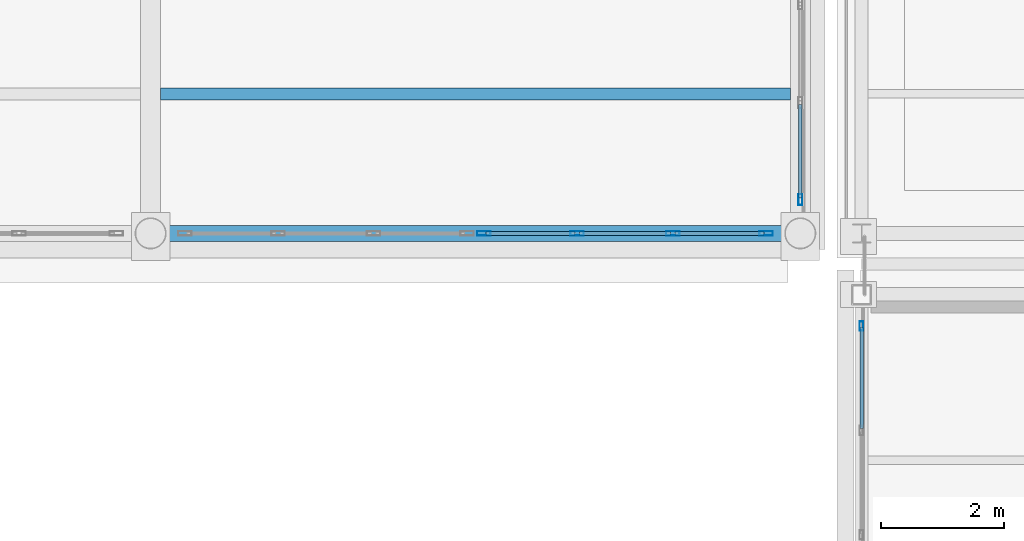
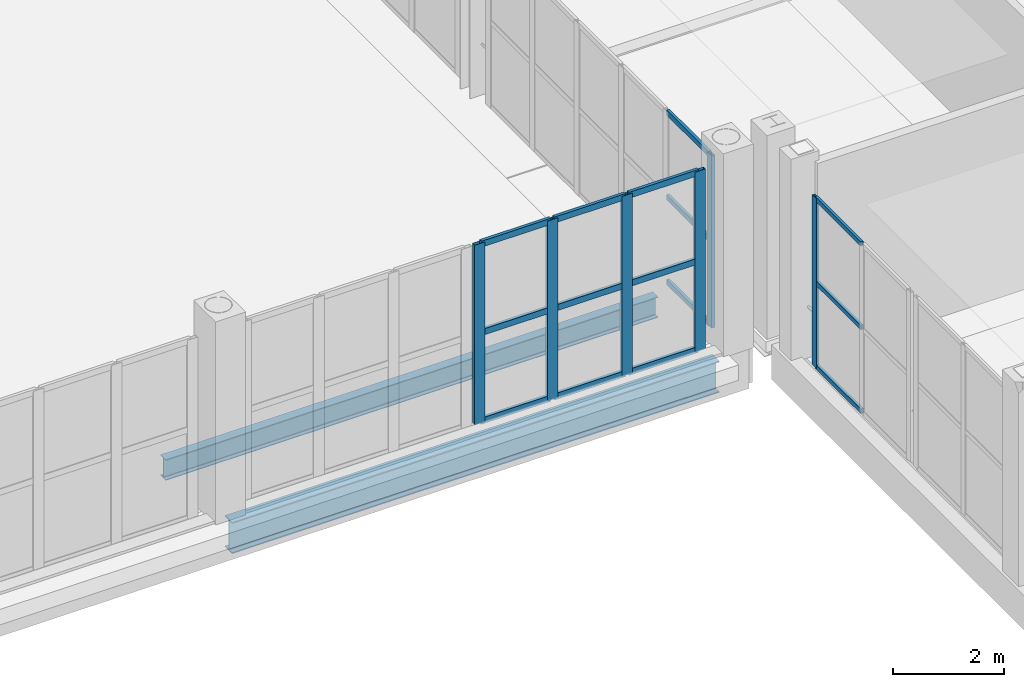
# One storey, part 81 of 156: 21 members, 2 beams, 3 elements without a shape of their own.
"""IFC4 building model written with IfcOpenShell, lengths in metres."""

from ifc_helpers import new_model, si_unit, direction, frame, origin, origin_2d, place, context, subcontext, project, spatial, hollow_rectangle, i_section, extrude, material, material_profile, profile_set, type_object, element, aggregate, save


model = new_model("IFC4")

# Units and contexts
model_context = context("Model", 3, precision=1e-05, world=origin(), true_north=direction((0.0, 1.0)))
body_context = subcontext(model_context, "Body", "Model", "MODEL_VIEW")
ifc_project = project(units=[si_unit("LENGTHUNIT", "METRE"), si_unit("AREAUNIT", "SQUARE_METRE"), si_unit("VOLUMEUNIT", "CUBIC_METRE"), si_unit("PLANEANGLEUNIT", "RADIAN"), si_unit("MASSUNIT", "GRAM", prefix="KILO")], contexts=[model_context])

# Site, building, storey
site_placement = place(None, origin())
site = spatial("IfcSite", under=ifc_project, at=site_placement, CompositionType="ELEMENT")
building_placement = place(site_placement, origin())
building = spatial("IfcBuilding", under=site, at=building_placement, Name="Caurita Quay Ferry Terminal", CompositionType="ELEMENT")
storey_placement = place(building_placement, frame((0.0, 0.0, 5.39990234375)))
storey = spatial("IfcBuildingStorey", under=building, at=storey_placement, Name="L01", CompositionType="ELEMENT", Elevation=5.39990234375)

# Beams
ifc_material_1 = material(Name="Structural steel ASTM A992 Gr. 50", Category="steel")
ifc_material_profile_1 = material_profile(ifc_material_1, i_section(OverallWidth=0.256591796875, OverallDepth=0.693359375, WebThickness=0.014404296875, FlangeThickness=0.023681640625, FilletRadius=0.017822265625, at=origin_2d()), Name="W27X114")
ifc_profile_set_1 = profile_set([ifc_material_profile_1], Name="Structural steel ASTM A992 Gr. 50")
beam_type_1 = type_object("IfcBeamType", Name="BM-GR-W27A", PredefinedType="BEAM", material=ifc_profile_set_1)
beam_1_placement = place(storey_placement, frame((121.416015625, 34.60009765625, -0.646484375), z_axis=(1.0, 0.0, 0.0), x_axis=(0.0, 1.0, 0.0)))
element("IfcBeam", 1, at=beam_1_placement, inside=storey, type_object=beam_type_1, Name="L01 Beam BM-V2-L01-X-1214-346", PredefinedType="BEAM", context=body_context, shape_type="SweptSolid", body=[
    extrude(i_section(OverallWidth=0.256591796875, OverallDepth=0.693359375, WebThickness=0.014404296875, FlangeThickness=0.023681640625, FilletRadius=0.017822265625, at=origin_2d()), origin(), (0.0, 0.0, 1.0), 10.16796875),
])
ifc_material_profile_2 = material_profile(ifc_material_1, i_section(OverallWidth=0.1904296875, OverallDepth=0.457275390625, WebThickness=0.009033203125, FlangeThickness=0.014404296875, FilletRadius=0.0126953125, at=origin_2d()), Name="W18X50")
ifc_profile_set_2 = profile_set([ifc_material_profile_2], Name="Structural steel ASTM A992 Gr. 50")
beam_type_2 = type_object("IfcBeamType", Name="BM-JS-W18B", PredefinedType="JOIST", material=ifc_profile_set_2)
beam_2_placement = place(storey_placement, frame((121.362548828125, 36.875, -0.528564453125), z_axis=(1.0, 0.0, 0.0), x_axis=(0.0, 1.0, 0.0)))
element("IfcBeam", 2, at=beam_2_placement, inside=storey, type_object=beam_type_2, Name="L01 Beam JS-V2-L01-031", PredefinedType="JOIST", context=body_context, shape_type="SweptSolid", body=[
    extrude(i_section(OverallWidth=0.1904296875, OverallDepth=0.457275390625, WebThickness=0.009033203125, FlangeThickness=0.014404296875, FilletRadius=0.0126953125, at=origin_2d()), origin(), (0.0, 0.0, 1.0), 10.27490234375),
])

# Curtain wall, member
ifc_material_2 = material(Name="Laminated solar-control insulated glass", Category="glass")
curtain_wall_type_1 = type_object("IfcCurtainWallType", Name="CW-SYS-16", PredefinedType="NOTDEFINED", material=ifc_material_2)
curtain_wall_1_placement = place(storey_placement, origin())
curtain_wall_1 = element("IfcCurtainWall", 3, at=curtain_wall_1_placement, inside=storey, type_object=curtain_wall_type_1, Name="Boarding Gangway Ribbon Curtain Wall 118", PredefinedType="NOTDEFINED")
ifc_material_3 = material(Name="Anodized aluminium 6063-T6", Category="aluminium")
ifc_material_profile_3 = material_profile(ifc_material_3, hollow_rectangle(XDim=0.06005859375, YDim=0.14990234375, WallThickness=0.00341796875, at=origin_2d()), Name="ALU-MUL-60X150")
ifc_profile_set_3 = profile_set([ifc_material_profile_3], Name="Anodized aluminium 6063-T6")
member_type_1 = type_object("IfcMemberType", Name="CW-MUL-150", PredefinedType="MULLION", material=ifc_profile_set_3)
member_1_placement = place(storey_placement, frame((132.800048828125, 33.090087890625, 0.0), z_axis=(0.0, 0.0, 1.0), x_axis=(-1.0, 0.0, 0.0)))
member_1 = element("IfcMember", 4, at=member_1_placement, type_object=member_type_1, Name="CW-BGW-118 Mullion 3", PredefinedType="MULLION", context=body_context, shape_type="SweptSolid", body=[
    extrude(hollow_rectangle(XDim=0.06005859375, YDim=0.14990234375, WallThickness=0.00341796875, at=origin_2d()), origin(), (0.0, 0.0, 1.0), 3.75),
])

curtain_wall_type_2 = type_object("IfcCurtainWallType", Name="CW-SYS-11", PredefinedType="NOTDEFINED", material=ifc_material_2)
curtain_wall_2_placement = place(storey_placement, origin())
curtain_wall_2 = element("IfcCurtainWall", 5, at=curtain_wall_2_placement, inside=storey, type_object=curtain_wall_type_2, Name="Concourse Gable Curtain Wall 086", PredefinedType="NOTDEFINED")
ifc_material_profile_4 = material_profile(ifc_material_3, hollow_rectangle(XDim=0.06494140625, YDim=0.179931640625, WallThickness=0.00390625, at=origin_2d()), Name="ALU-MUL-65X180")
ifc_profile_set_4 = profile_set([ifc_material_profile_4], Name="Anodized aluminium 6063-T6")
member_type_2 = type_object("IfcMemberType", Name="CW-MUL-180", PredefinedType="MULLION", material=ifc_profile_set_4)
member_2_placement = place(storey_placement, frame((131.800048828125, 35.152587890625, 0.0), z_axis=(0.0, 0.0, 1.0), x_axis=(-1.0, 0.0, 0.0)))
member_2 = element("IfcMember", 6, at=member_2_placement, type_object=member_type_2, Name="CW-GBL-086 Mullion 1", PredefinedType="MULLION", context=body_context, shape_type="SweptSolid", body=[
    extrude(hollow_rectangle(XDim=0.06494140625, YDim=0.179931640625, WallThickness=0.00390625, at=origin_2d()), origin(), (0.0, 0.0, 1.0), 3.800048828125),
])

# Curtain wall, members
curtain_wall_type_3 = type_object("IfcCurtainWallType", Name="CW-SYS-09", PredefinedType="NOTDEFINED", material=ifc_material_2)
curtain_wall_3_placement = place(storey_placement, origin())
curtain_wall_3 = element("IfcCurtainWall", 7, at=curtain_wall_3_placement, inside=storey, type_object=curtain_wall_type_3, Name="V2 Waterside Concourse Curtain Wall 072", PredefinedType="NOTDEFINED")
ifc_material_profile_5 = material_profile(ifc_material_3, hollow_rectangle(XDim=0.074951171875, YDim=0.219970703125, WallThickness=0.00390625, at=origin_2d()), Name="ALU-MUL-75X220")
ifc_profile_set_5 = profile_set([ifc_material_profile_5], Name="Anodized aluminium 6063-T6")
member_type_3 = type_object("IfcMemberType", Name="CW-MUL-220", PredefinedType="MULLION", material=ifc_profile_set_5)
member_3_placement = place(storey_placement, frame((126.637451171875, 34.60009765625, 0.0), z_axis=(0.0, 0.0, 1.0), x_axis=(0.0, 1.0, 0.0)))
member_3 = element("IfcMember", 8, at=member_3_placement, type_object=member_type_3, Name="CW-SEA-072 Mullion 1", PredefinedType="MULLION", context=body_context, shape_type="SweptSolid", body=[
    extrude(hollow_rectangle(XDim=0.074951171875, YDim=0.219970703125, WallThickness=0.00390625, at=origin_2d()), origin(), (0.0, 0.0, 1.0), 3.97021484375),
])
member_4_placement = place(storey_placement, frame((128.159912109375, 34.60009765625, 0.0), z_axis=(0.0, 0.0, 1.0), x_axis=(0.0, 1.0, 0.0)))
member_4 = element("IfcMember", 9, at=member_4_placement, type_object=member_type_3, Name="CW-SEA-072 Mullion 2", PredefinedType="MULLION", context=body_context, shape_type="SweptSolid", body=[
    extrude(hollow_rectangle(XDim=0.074951171875, YDim=0.219970703125, WallThickness=0.00390625, at=origin_2d()), origin(), (0.0, 0.0, 1.0), 3.97021484375),
])
member_5_placement = place(storey_placement, frame((129.719970703125, 34.60009765625, 0.0), z_axis=(0.0, 0.0, 1.0), x_axis=(0.0, 1.0, 0.0)))
member_5 = element("IfcMember", 10, at=member_5_placement, type_object=member_type_3, Name="CW-SEA-072 Mullion 3", PredefinedType="MULLION", context=body_context, shape_type="SweptSolid", body=[
    extrude(hollow_rectangle(XDim=0.074951171875, YDim=0.219970703125, WallThickness=0.00390625, at=origin_2d()), origin(), (0.0, 0.0, 1.0), 3.97021484375),
])
member_6_placement = place(storey_placement, frame((131.242431640625, 34.60009765625, 0.0), z_axis=(0.0, 0.0, 1.0), x_axis=(0.0, 1.0, 0.0)))
member_6 = element("IfcMember", 11, at=member_6_placement, type_object=member_type_3, Name="CW-SEA-072 Mullion 4", PredefinedType="MULLION", context=body_context, shape_type="SweptSolid", body=[
    extrude(hollow_rectangle(XDim=0.074951171875, YDim=0.219970703125, WallThickness=0.00390625, at=origin_2d()), origin(), (0.0, 0.0, 1.0), 3.97021484375),
])

# Member
ifc_material_profile_6 = material_profile(ifc_material_3, hollow_rectangle(XDim=0.054931640625, YDim=0.10009765625, WallThickness=0.00341796875, at=origin_2d()), Name="ALU-TRN-55X100")
ifc_profile_set_6 = profile_set([ifc_material_profile_6], Name="Anodized aluminium 6063-T6")
member_type_4 = type_object("IfcMemberType", Name="CW-TRN-100", PredefinedType="USERDEFINED", material=ifc_profile_set_6)
member_7_placement = place(storey_placement, frame((132.800048828125, 31.4130859375, 0.027587890625), z_axis=(0.0, 1.0, 0.0), x_axis=(-1.0, 0.0, 0.0)))
member_7 = element("IfcMember", 12, at=member_7_placement, type_object=member_type_4, Name="CW-BGW-118 Transom 4", ObjectType="TRANSOM", PredefinedType="USERDEFINED", context=body_context, shape_type="SweptSolid", body=[
    extrude(hollow_rectangle(XDim=0.054931640625, YDim=0.10009765625, WallThickness=0.00341796875, at=origin_2d()), origin(), (0.0, 0.0, 1.0), 1.64892578125),
])

member_8_placement = place(storey_placement, frame((132.800048828125, 31.4130859375, 1.875), z_axis=(0.0, 1.0, 0.0), x_axis=(-1.0, 0.0, 0.0)))
member_8 = element("IfcMember", 13, at=member_8_placement, type_object=member_type_4, Name="CW-BGW-118 Transom 5", ObjectType="TRANSOM", PredefinedType="USERDEFINED", context=body_context, shape_type="SweptSolid", body=[
    extrude(hollow_rectangle(XDim=0.054931640625, YDim=0.10009765625, WallThickness=0.00341796875, at=origin_2d()), origin(), (0.0, 0.0, 1.0), 1.64892578125),
])

member_9_placement = place(storey_placement, frame((132.800048828125, 31.4130859375, 3.72265625), z_axis=(0.0, 1.0, 0.0), x_axis=(-1.0, 0.0, 0.0)))
member_9 = element("IfcMember", 14, at=member_9_placement, type_object=member_type_4, Name="CW-BGW-118 Transom 6", ObjectType="TRANSOM", PredefinedType="USERDEFINED", context=body_context, shape_type="SweptSolid", body=[
    extrude(hollow_rectangle(XDim=0.054931640625, YDim=0.10009765625, WallThickness=0.00341796875, at=origin_2d()), origin(), (0.0, 0.0, 1.0), 1.64892578125),
])

aggregate(curtain_wall_1, [member_1, member_7, member_8, member_9])

ifc_material_profile_7 = material_profile(ifc_material_3, hollow_rectangle(XDim=0.06005859375, YDim=0.114990234375, WallThickness=0.00341796875, at=origin_2d()), Name="ALU-TRN-60X115")
ifc_profile_set_7 = profile_set([ifc_material_profile_7], Name="Anodized aluminium 6063-T6")
member_type_5 = type_object("IfcMemberType", Name="CW-TRN-115", PredefinedType="USERDEFINED", material=ifc_profile_set_7)
member_10_placement = place(storey_placement, frame((131.800048828125, 35.18310546875, 0.030029296875), z_axis=(0.0, 1.0, 0.0), x_axis=(-1.0, 0.0, 0.0)))
member_10 = element("IfcMember", 15, at=member_10_placement, type_object=member_type_5, Name="CW-GBL-086 Transom 1", ObjectType="TRANSOM", PredefinedType="USERDEFINED", context=body_context, shape_type="SweptSolid", body=[
    extrude(hollow_rectangle(XDim=0.06005859375, YDim=0.114990234375, WallThickness=0.00341796875, at=origin_2d()), origin(), (0.0, 0.0, 1.0), 1.518310546875),
])

member_11_placement = place(storey_placement, frame((131.800048828125, 35.18310546875, 1.900146484375), z_axis=(0.0, 1.0, 0.0), x_axis=(-1.0, 0.0, 0.0)))
member_11 = element("IfcMember", 16, at=member_11_placement, type_object=member_type_5, Name="CW-GBL-086 Transom 2", ObjectType="TRANSOM", PredefinedType="USERDEFINED", context=body_context, shape_type="SweptSolid", body=[
    extrude(hollow_rectangle(XDim=0.06005859375, YDim=0.114990234375, WallThickness=0.00341796875, at=origin_2d()), origin(), (0.0, 0.0, 1.0), 1.518310546875),
])

member_12_placement = place(storey_placement, frame((131.800048828125, 35.18310546875, 3.77001953125), z_axis=(0.0, 1.0, 0.0), x_axis=(-1.0, 0.0, 0.0)))
member_12 = element("IfcMember", 17, at=member_12_placement, type_object=member_type_5, Name="CW-GBL-086 Transom 3", ObjectType="TRANSOM", PredefinedType="USERDEFINED", context=body_context, shape_type="SweptSolid", body=[
    extrude(hollow_rectangle(XDim=0.06005859375, YDim=0.114990234375, WallThickness=0.00341796875, at=origin_2d()), origin(), (0.0, 0.0, 1.0), 1.518310546875),
])

aggregate(curtain_wall_2, [member_2, member_10, member_11, member_12])

ifc_material_profile_8 = material_profile(ifc_material_3, hollow_rectangle(XDim=0.06494140625, YDim=0.135009765625, WallThickness=0.00341796875, at=origin_2d()), Name="ALU-TRN-65X135")
ifc_profile_set_8 = profile_set([ifc_material_profile_8], Name="Anodized aluminium 6063-T6")
member_type_6 = type_object("IfcMemberType", Name="CW-TRN-135", PredefinedType="USERDEFINED", material=ifc_profile_set_8)
member_13_placement = place(storey_placement, frame((126.673095703125, 34.60009765625, 0.03271484375), z_axis=(1.0, 0.0, 0.0), x_axis=(0.0, 1.0, 0.0)))
member_13 = element("IfcMember", 18, at=member_13_placement, type_object=member_type_6, Name="CW-SEA-072 Transom 1", ObjectType="TRANSOM", PredefinedType="USERDEFINED", context=body_context, shape_type="SweptSolid", body=[
    extrude(hollow_rectangle(XDim=0.06494140625, YDim=0.135009765625, WallThickness=0.00341796875, at=origin_2d()), origin(), (0.0, 0.0, 1.0), 1.451416015625),
])

member_14_placement = place(storey_placement, frame((126.673095703125, 34.60009765625, 1.985107421875), z_axis=(1.0, 0.0, 0.0), x_axis=(0.0, 1.0, 0.0)))
member_14 = element("IfcMember", 19, at=member_14_placement, type_object=member_type_6, Name="CW-SEA-072 Transom 2", ObjectType="TRANSOM", PredefinedType="USERDEFINED", context=body_context, shape_type="SweptSolid", body=[
    extrude(hollow_rectangle(XDim=0.06494140625, YDim=0.135009765625, WallThickness=0.00341796875, at=origin_2d()), origin(), (0.0, 0.0, 1.0), 1.451416015625),
])

member_15_placement = place(storey_placement, frame((126.673095703125, 34.60009765625, 3.9375), z_axis=(1.0, 0.0, 0.0), x_axis=(0.0, 1.0, 0.0)))
member_15 = element("IfcMember", 20, at=member_15_placement, type_object=member_type_6, Name="CW-SEA-072 Transom 3", ObjectType="TRANSOM", PredefinedType="USERDEFINED", context=body_context, shape_type="SweptSolid", body=[
    extrude(hollow_rectangle(XDim=0.06494140625, YDim=0.135009765625, WallThickness=0.00341796875, at=origin_2d()), origin(), (0.0, 0.0, 1.0), 1.451416015625),
])

member_16_placement = place(storey_placement, frame((128.195556640625, 34.60009765625, 0.03271484375), z_axis=(1.0, 0.0, 0.0), x_axis=(0.0, 1.0, 0.0)))
member_16 = element("IfcMember", 21, at=member_16_placement, type_object=member_type_6, Name="CW-SEA-072 Transom 4", ObjectType="TRANSOM", PredefinedType="USERDEFINED", context=body_context, shape_type="SweptSolid", body=[
    extrude(hollow_rectangle(XDim=0.06494140625, YDim=0.135009765625, WallThickness=0.00341796875, at=origin_2d()), origin(), (0.0, 0.0, 1.0), 1.489013671875),
])

member_17_placement = place(storey_placement, frame((128.195556640625, 34.60009765625, 1.985107421875), z_axis=(1.0, 0.0, 0.0), x_axis=(0.0, 1.0, 0.0)))
member_17 = element("IfcMember", 22, at=member_17_placement, type_object=member_type_6, Name="CW-SEA-072 Transom 5", ObjectType="TRANSOM", PredefinedType="USERDEFINED", context=body_context, shape_type="SweptSolid", body=[
    extrude(hollow_rectangle(XDim=0.06494140625, YDim=0.135009765625, WallThickness=0.00341796875, at=origin_2d()), origin(), (0.0, 0.0, 1.0), 1.489013671875),
])

member_18_placement = place(storey_placement, frame((128.195556640625, 34.60009765625, 3.9375), z_axis=(1.0, 0.0, 0.0), x_axis=(0.0, 1.0, 0.0)))
member_18 = element("IfcMember", 23, at=member_18_placement, type_object=member_type_6, Name="CW-SEA-072 Transom 6", ObjectType="TRANSOM", PredefinedType="USERDEFINED", context=body_context, shape_type="SweptSolid", body=[
    extrude(hollow_rectangle(XDim=0.06494140625, YDim=0.135009765625, WallThickness=0.00341796875, at=origin_2d()), origin(), (0.0, 0.0, 1.0), 1.489013671875),
])

member_19_placement = place(storey_placement, frame((129.755615234375, 34.60009765625, 0.03271484375), z_axis=(1.0, 0.0, 0.0), x_axis=(0.0, 1.0, 0.0)))
member_19 = element("IfcMember", 24, at=member_19_placement, type_object=member_type_6, Name="CW-SEA-072 Transom 7", ObjectType="TRANSOM", PredefinedType="USERDEFINED", context=body_context, shape_type="SweptSolid", body=[
    extrude(hollow_rectangle(XDim=0.06494140625, YDim=0.135009765625, WallThickness=0.00341796875, at=origin_2d()), origin(), (0.0, 0.0, 1.0), 1.451416015625),
])

member_20_placement = place(storey_placement, frame((129.755615234375, 34.60009765625, 1.985107421875), z_axis=(1.0, 0.0, 0.0), x_axis=(0.0, 1.0, 0.0)))
member_20 = element("IfcMember", 25, at=member_20_placement, type_object=member_type_6, Name="CW-SEA-072 Transom 8", ObjectType="TRANSOM", PredefinedType="USERDEFINED", context=body_context, shape_type="SweptSolid", body=[
    extrude(hollow_rectangle(XDim=0.06494140625, YDim=0.135009765625, WallThickness=0.00341796875, at=origin_2d()), origin(), (0.0, 0.0, 1.0), 1.451416015625),
])

member_21_placement = place(storey_placement, frame((129.755615234375, 34.60009765625, 3.9375), z_axis=(1.0, 0.0, 0.0), x_axis=(0.0, 1.0, 0.0)))
member_21 = element("IfcMember", 26, at=member_21_placement, type_object=member_type_6, Name="CW-SEA-072 Transom 9", ObjectType="TRANSOM", PredefinedType="USERDEFINED", context=body_context, shape_type="SweptSolid", body=[
    extrude(hollow_rectangle(XDim=0.06494140625, YDim=0.135009765625, WallThickness=0.00341796875, at=origin_2d()), origin(), (0.0, 0.0, 1.0), 1.451416015625),
])

aggregate(curtain_wall_3, [member_3, member_4, member_5, member_6, member_13, member_14, member_15, member_16, member_17, member_18, member_19, member_20, member_21])

save(model, "model.ifc")
